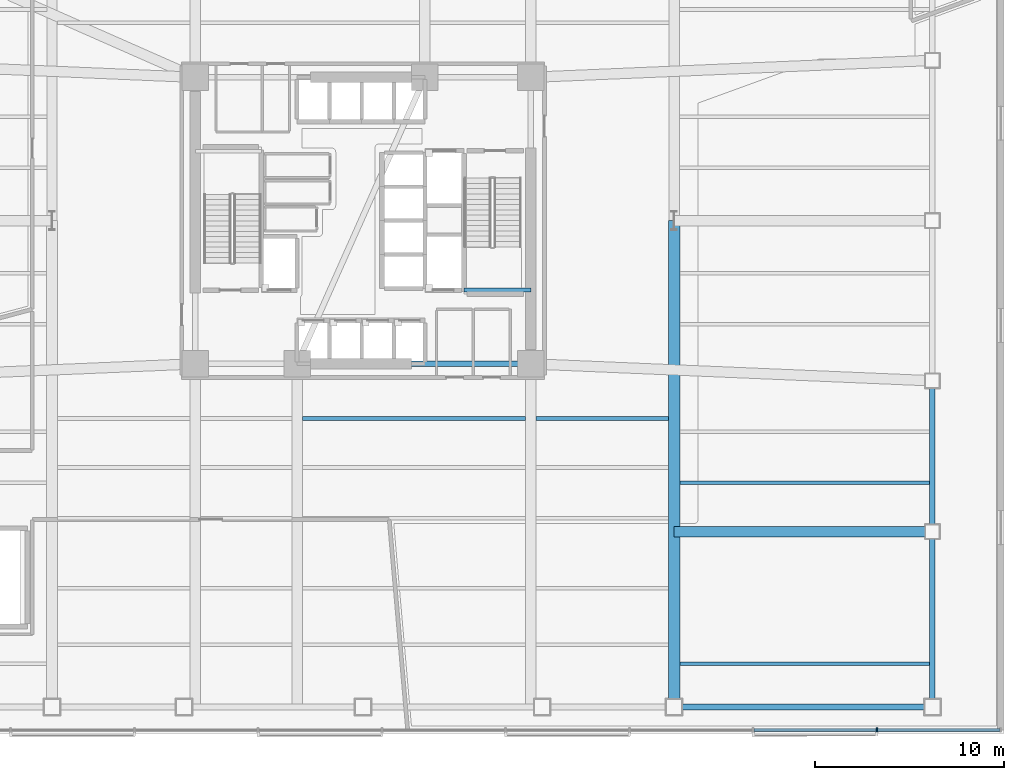
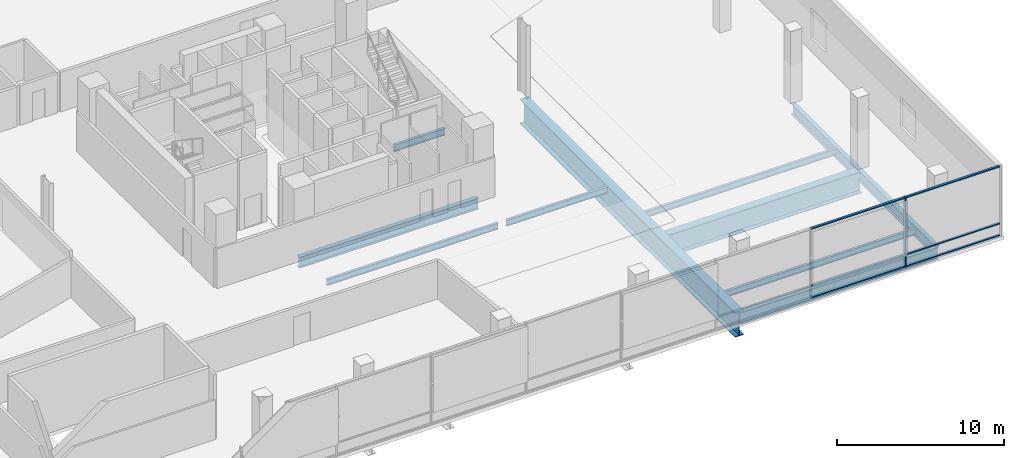
# One storey, part 4 of 19: 11 beams, 7 members, 1 element without a shape of its own.
"""IFC4 building model written with IfcOpenShell, lengths in metres."""

from ifc_helpers import new_model, si_unit, direction, frame, origin, origin_2d, place, context, subcontext, project, spatial, rectangle, i_section, extrude, material, layer, layer_set, material_profile, profile_set, type_object, element, aggregate, save


model = new_model("IFC4")

# Units and contexts
model_context = context("Model", 3, precision=1e-05, world=origin(), true_north=direction((0.0, 1.0)))
body_context = subcontext(model_context, "Body", "Model", "MODEL_VIEW")
ifc_project = project(units=[si_unit("LENGTHUNIT", "METRE"), si_unit("AREAUNIT", "SQUARE_METRE"), si_unit("VOLUMEUNIT", "CUBIC_METRE"), si_unit("PLANEANGLEUNIT", "RADIAN"), si_unit("MASSUNIT", "GRAM", prefix="KILO")], contexts=[model_context])

# Site, building, storey
site_placement = place(None, origin())
site = spatial("IfcSite", under=ifc_project, at=site_placement, CompositionType="ELEMENT")
building_placement = place(site_placement, origin())
building = spatial("IfcBuilding", under=site, at=building_placement, Name="Tharavind Bronze Gate", CompositionType="ELEMENT")
storey_placement = place(building_placement, frame((0.0, 0.0, 26.5)))
storey = spatial("IfcBuildingStorey", under=building, at=storey_placement, Name="L05", CompositionType="ELEMENT", Elevation=26.5)

# Curtain wall, members
ifc_material_1 = material(Name="Anodised Bronze Aluminium", Category="aluminium")
ifc_layer = layer(ifc_material_1, 0.219970703125)
ifc_layer_set = layer_set([ifc_layer], Name="Anodised Bronze Aluminium")
curtain_wall_type = type_object("IfcCurtainWallType", Name="UNITISED CURTAIN WALL PODIUM", PredefinedType="USERDEFINED", material=ifc_layer_set)
curtain_wall_placement = place(storey_placement, origin())
curtain_wall = element("IfcCurtainWall", 1, at=curtain_wall_placement, inside=storey, type_object=curtain_wall_type, Name="L05 unitised curtain wall podium CW-L05-S1", ObjectType="UNITISED CURTAIN WALL", PredefinedType="USERDEFINED")
member_type_1 = type_object("IfcMemberType", Name="CURTAIN WALL MULLION 80X220", PredefinedType="MULLION", material=ifc_material_1)
member_1_placement = place(storey_placement, frame((27.256103515625, -27.02001953125, 0.0), z_axis=(0.0, 0.0, 1.0), x_axis=(1.0, 0.0, 0.0)))
member_1 = element("IfcMember", 2, at=member_1_placement, type_object=member_type_1, Name="CW-L05-S1 mullion 10", PredefinedType="MULLION", context=body_context, shape_type="SweptSolid", body=[
    extrude(rectangle(XDim=0.080078125, YDim=0.219970703125, at=origin_2d()), origin(), (0.0, 0.0, 1.0), 5.10498046875),
])
member_type_2 = type_object("IfcMemberType", Name="CURTAIN WALL TRANSOM 80X160", PredefinedType="USERDEFINED", material=ifc_material_1)
member_2_placement = place(storey_placement, frame((23.97412109375, -27.02001953125, 0.0), z_axis=(0.0, 0.0, 1.0), x_axis=(1.0, 0.0, 0.0)))
member_2 = element("IfcMember", 3, at=member_2_placement, type_object=member_type_2, Name="CW-L05-S1 transom TB9", ObjectType="TRANSOM", PredefinedType="USERDEFINED", context=body_context, shape_type="SweptSolid", body=[
    extrude(rectangle(XDim=6.49609375, YDim=0.159912109375, at=origin_2d()), origin(), (0.0, 0.0, 1.0), 0.080078125),
])
member_3_placement = place(storey_placement, frame((23.97412109375, -27.02001953125, 0.85986328125), z_axis=(0.0, 0.0, 1.0), x_axis=(1.0, 0.0, 0.0)))
member_3 = element("IfcMember", 4, at=member_3_placement, type_object=member_type_2, Name="CW-L05-S1 transom TS9", ObjectType="TRANSOM", PredefinedType="USERDEFINED", context=body_context, shape_type="SweptSolid", body=[
    extrude(rectangle(XDim=6.49609375, YDim=0.159912109375, at=origin_2d()), origin(), (0.0, 0.0, 1.0), 0.080078125),
])
member_4_placement = place(storey_placement, frame((23.97412109375, -27.02001953125, 5.02490234375), z_axis=(0.0, 0.0, 1.0), x_axis=(1.0, 0.0, 0.0)))
member_4 = element("IfcMember", 5, at=member_4_placement, type_object=member_type_2, Name="CW-L05-S1 transom TT9", ObjectType="TRANSOM", PredefinedType="USERDEFINED", context=body_context, shape_type="SweptSolid", body=[
    extrude(rectangle(XDim=6.49609375, YDim=0.159912109375, at=origin_2d()), origin(), (0.0, 0.0, 1.0), 0.080078125),
])
member_5_placement = place(storey_placement, frame((30.5380859375, -27.02001953125, 0.0), z_axis=(0.0, 0.0, 1.0), x_axis=(1.0, 0.0, 0.0)))
member_5 = element("IfcMember", 6, at=member_5_placement, type_object=member_type_2, Name="CW-L05-S1 transom TB10", ObjectType="TRANSOM", PredefinedType="USERDEFINED", context=body_context, shape_type="SweptSolid", body=[
    extrude(rectangle(XDim=6.49609375, YDim=0.159912109375, at=origin_2d()), origin(), (0.0, 0.0, 1.0), 0.080078125),
])
member_6_placement = place(storey_placement, frame((30.5380859375, -27.02001953125, 0.85986328125), z_axis=(0.0, 0.0, 1.0), x_axis=(1.0, 0.0, 0.0)))
member_6 = element("IfcMember", 7, at=member_6_placement, type_object=member_type_2, Name="CW-L05-S1 transom TS10", ObjectType="TRANSOM", PredefinedType="USERDEFINED", context=body_context, shape_type="SweptSolid", body=[
    extrude(rectangle(XDim=6.49609375, YDim=0.159912109375, at=origin_2d()), origin(), (0.0, 0.0, 1.0), 0.080078125),
])
member_7_placement = place(storey_placement, frame((30.5380859375, -27.02001953125, 5.02490234375), z_axis=(0.0, 0.0, 1.0), x_axis=(1.0, 0.0, 0.0)))
member_7 = element("IfcMember", 8, at=member_7_placement, type_object=member_type_2, Name="CW-L05-S1 transom TT10", ObjectType="TRANSOM", PredefinedType="USERDEFINED", context=body_context, shape_type="SweptSolid", body=[
    extrude(rectangle(XDim=6.49609375, YDim=0.159912109375, at=origin_2d()), origin(), (0.0, 0.0, 1.0), 0.080078125),
])
aggregate(curtain_wall, [member_1, member_2, member_3, member_4, member_5, member_6, member_7])

# Beams
ifc_material_2 = material(Name="Steel S355", Category="steel")
ifc_material_profile_1 = material_profile(ifc_material_2, i_section(OverallWidth=0.199951171875, OverallDepth=0.5, WebThickness=0.01025390625, FlangeThickness=0.01611328125, at=origin_2d()), Name="IPE500")
ifc_profile_set_1 = profile_set([ifc_material_profile_1], Name="Steel S355")
beam_type_1 = type_object("IfcBeamType", Name="PRIMARY GIRDER IPE500", PredefinedType="USERDEFINED", material=ifc_profile_set_1)
beam_1_placement = place(storey_placement, frame((5.35009765625, -3.679931640625, 2.199951171875), z_axis=(1.0, 0.0, 0.0), x_axis=(0.0, 1.0, 0.0)))
element("IfcBeam", 9, at=beam_1_placement, inside=storey, type_object=beam_type_1, Name="L05 primary girder ipe500 BM-LD-ST2-L05-1", ObjectType="GIRDER", PredefinedType="USERDEFINED", context=body_context, shape_type="SweptSolid", body=[
    extrude(i_section(OverallWidth=0.199951171875, OverallDepth=0.5, WebThickness=0.01025390625, FlangeThickness=0.01611328125, at=origin_2d()), origin(), (0.0, 0.0, 1.0), 3.5498046875),
])
ifc_material_profile_2 = material_profile(ifc_material_2, i_section(OverallWidth=0.300048828125, OverallDepth=0.800048828125, WebThickness=0.017578125, FlangeThickness=0.032958984375, at=origin_2d()), Name="HE800B")
ifc_profile_set_2 = profile_set([ifc_material_profile_2], Name="Steel S355")
beam_type_2 = type_object("IfcBeamType", Name="RING GIRDER HE800B", PredefinedType="USERDEFINED", material=ifc_profile_set_2)
beam_2_placement = place(storey_placement, frame((-3.5, -7.60009765625, -0.659912109375), z_axis=(1.0, 0.0, 0.0), x_axis=(0.0, 1.0, 0.0)))
element("IfcBeam", 10, at=beam_2_placement, inside=storey, type_object=beam_type_2, Name="L05 ring girder he800b BM-L05-CR2", ObjectType="GIRDER", PredefinedType="USERDEFINED", context=body_context, shape_type="SweptSolid", body=[
    extrude(i_section(OverallWidth=0.300048828125, OverallDepth=0.800048828125, WebThickness=0.017578125, FlangeThickness=0.032958984375, at=origin_2d()), origin(), (0.0, 0.0, 1.0), 12.39990234375),
])
beam_3_placement = place(storey_placement, frame((30.199951171875, -25.800048828125, -0.659912109375), z_axis=(0.0, 1.0, 0.0), x_axis=(-1.0, 0.0, 0.0)))
element("IfcBeam", 11, at=beam_3_placement, inside=storey, type_object=beam_type_2, Name="L05 ring girder he800b BM-L05-PE1", ObjectType="GIRDER", PredefinedType="USERDEFINED", context=body_context, shape_type="SweptSolid", body=[
    extrude(i_section(OverallWidth=0.300048828125, OverallDepth=0.800048828125, WebThickness=0.017578125, FlangeThickness=0.032958984375, at=origin_2d()), origin(), (0.0, 0.0, 1.0), 9.300048828125),
])
beam_4_placement = place(storey_placement, frame((30.199951171875, -16.5, -0.659912109375), z_axis=(0.0, 1.0, 0.0), x_axis=(-1.0, 0.0, 0.0)))
element("IfcBeam", 12, at=beam_4_placement, inside=storey, type_object=beam_type_2, Name="L05 ring girder he800b BM-L05-PE2", ObjectType="GIRDER", PredefinedType="USERDEFINED", context=body_context, shape_type="SweptSolid", body=[
    extrude(i_section(OverallWidth=0.300048828125, OverallDepth=0.800048828125, WebThickness=0.017578125, FlangeThickness=0.032958984375, at=origin_2d()), origin(), (0.0, 0.0, 1.0), 8.0),
])
ifc_material_profile_3 = material_profile(ifc_material_2, i_section(OverallWidth=0.18994140625, OverallDepth=0.449951171875, WebThickness=0.009521484375, FlangeThickness=0.0146484375, at=origin_2d()), Name="IPE450")
ifc_profile_set_3 = profile_set([ifc_material_profile_3], Name="Steel S355")
beam_type_3 = type_object("IfcBeamType", Name="SECONDARY FLOOR JOIST IPE450", PredefinedType="JOIST", material=ifc_profile_set_3)
beam_5_placement = place(storey_placement, frame((-3.222900390625, -10.5, -0.485107421875), z_axis=(1.0, 0.0, 0.0), x_axis=(0.0, 1.0, 0.0)))
element("IfcBeam", 13, at=beam_5_placement, inside=storey, type_object=beam_type_3, Name="L05 secondary floor joist ipe450 BM-L05-JSS5B", PredefinedType="JOIST", context=body_context, shape_type="SweptSolid", body=[
    extrude(i_section(OverallWidth=0.18994140625, OverallDepth=0.449951171875, WebThickness=0.009521484375, FlangeThickness=0.0146484375, at=origin_2d()), origin(), (0.0, 0.0, 1.0), 11.845947265625),
])
beam_6_placement = place(storey_placement, frame((9.177001953125, -10.5, -0.485107421875), z_axis=(1.0, 0.0, 0.0), x_axis=(0.0, 1.0, 0.0)))
element("IfcBeam", 14, at=beam_6_placement, inside=storey, type_object=beam_type_3, Name="L05 secondary floor joist ipe450 BM-L05-JSS5E", PredefinedType="JOIST", context=body_context, shape_type="SweptSolid", body=[
    extrude(i_section(OverallWidth=0.18994140625, OverallDepth=0.449951171875, WebThickness=0.009521484375, FlangeThickness=0.0146484375, at=origin_2d()), origin(), (0.0, 0.0, 1.0), 7.02099609375),
])
for number, where, z_axis, x_axis, name in (
    (15, (16.802001953125, -23.5, -0.485107421875), (1.0, 0.0, 0.0), (0.0, 1.0, 0.0), "L05 secondary floor joist ipe450 BM-L05-JSEE1"),
    (16, (16.802001953125, -13.89990234375, -0.485107421875), (1.0, 0.0, 0.0), (0.0, 1.0, 0.0), "L05 secondary floor joist ipe450 BM-L05-JSEE2"),
):
    element("IfcBeam", number, at=place(storey_placement, frame(where, z_axis=z_axis, x_axis=x_axis)), inside=storey, type_object=beam_type_3, Name=name, PredefinedType="JOIST", context=body_context, shape_type="SweptSolid", body=[
        extrude(i_section(OverallWidth=0.18994140625, OverallDepth=0.449951171875, WebThickness=0.009521484375, FlangeThickness=0.0146484375, at=origin_2d()), origin(), (0.0, 0.0, 1.0), 13.238037109375),
    ])
ifc_material_profile_4 = material_profile(ifc_material_2, i_section(OverallWidth=0.300048828125, OverallDepth=0.89990234375, WebThickness=0.0185546875, FlangeThickness=0.034912109375, at=origin_2d()), Name="HE900B")
ifc_profile_set_4 = profile_set([ifc_material_profile_4], Name="Steel S355")
beam_type_4 = type_object("IfcBeamType", Name="SPANDREL RING BEAM HE900B", PredefinedType="SPANDREL", material=ifc_profile_set_4)
beam_7_placement = place(storey_placement, frame((16.5, -25.800048828125, -0.7099609375), z_axis=(1.0, 0.0, 0.0), x_axis=(0.0, 1.0, 0.0)))
element("IfcBeam", 17, at=beam_7_placement, inside=storey, type_object=beam_type_4, Name="L05 spandrel ring beam he900b BM-L05-PS6", PredefinedType="SPANDREL", context=body_context, shape_type="SweptSolid", body=[
    extrude(i_section(OverallWidth=0.300048828125, OverallDepth=0.89990234375, WebThickness=0.0185546875, FlangeThickness=0.034912109375, at=origin_2d()), origin(), (0.0, 0.0, 1.0), 13.699951171875),
])
ifc_material_3 = material(Name="Steel S460", Category="steel")
ifc_material_profile_5 = material_profile(ifc_material_3, i_section(OverallWidth=0.550048828125, OverallDepth=1.60009765625, WebThickness=0.030029296875, FlangeThickness=0.050048828125, at=origin_2d()), Name="PG1600X550")
ifc_profile_set_5 = profile_set([ifc_material_profile_5], Name="Steel S460")
beam_type_5 = type_object("IfcBeamType", Name="TRANSFER GIRDER 1600X550", PredefinedType="USERDEFINED", material=ifc_profile_set_5)
beam_8_placement = place(storey_placement, frame((30.199951171875, -16.5, -1.06005859375), z_axis=(-1.0, 0.0, 0.0), x_axis=(0.0, -1.0, 0.0)))
element("IfcBeam", 18, at=beam_8_placement, inside=storey, type_object=beam_type_5, Name="L05 transfer girder 1600x550 BM-L05-GE0", ObjectType="TRANSFER GIRDER", PredefinedType="USERDEFINED", context=body_context, shape_type="SweptSolid", body=[
    extrude(i_section(OverallWidth=0.550048828125, OverallDepth=1.60009765625, WebThickness=0.030029296875, FlangeThickness=0.050048828125, at=origin_2d()), origin(), (0.0, 0.0, 1.0), 13.699951171875),
])
ifc_material_profile_6 = material_profile(ifc_material_3, i_section(OverallWidth=0.60009765625, OverallDepth=1.800048828125, WebThickness=0.031982421875, FlangeThickness=0.054931640625, at=origin_2d()), Name="PG1800X600")
ifc_profile_set_6 = profile_set([ifc_material_profile_6], Name="Steel S460")
beam_type_6 = type_object("IfcBeamType", Name="TRANSFER GIRDER 1800X600", PredefinedType="USERDEFINED", material=ifc_profile_set_6)
beam_9_placement = place(storey_placement, frame((16.5, -25.800048828125, -1.159912109375), z_axis=(0.0, 1.0, 0.0), x_axis=(-1.0, 0.0, 0.0)))
element("IfcBeam", 19, at=beam_9_placement, inside=storey, type_object=beam_type_6, Name="L05 transfer girder 1800x600 BM-L05-GS5S", ObjectType="TRANSFER GIRDER", PredefinedType="USERDEFINED", context=body_context, shape_type="SweptSolid", body=[
    extrude(i_section(OverallWidth=0.60009765625, OverallDepth=1.800048828125, WebThickness=0.031982421875, FlangeThickness=0.054931640625, at=origin_2d()), origin(), (0.0, 0.0, 1.0), 25.800048828125),
])

save(model, "model.ifc")
